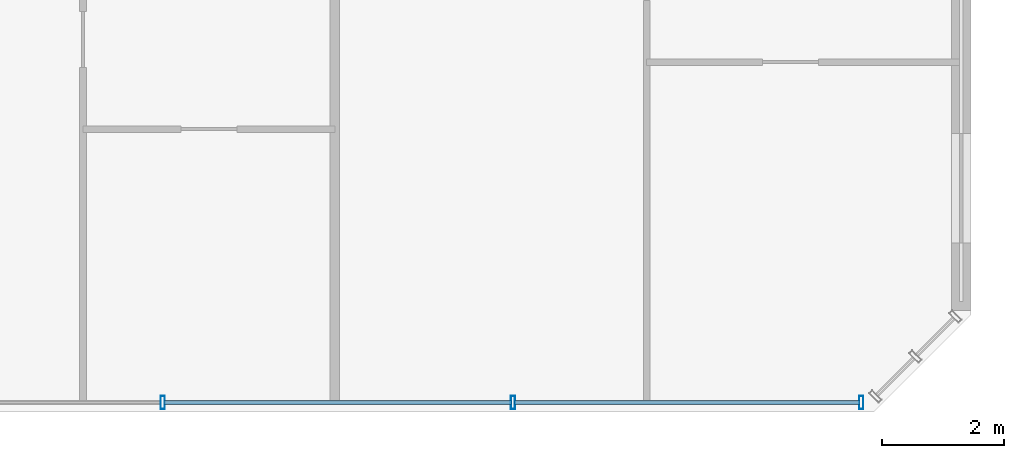
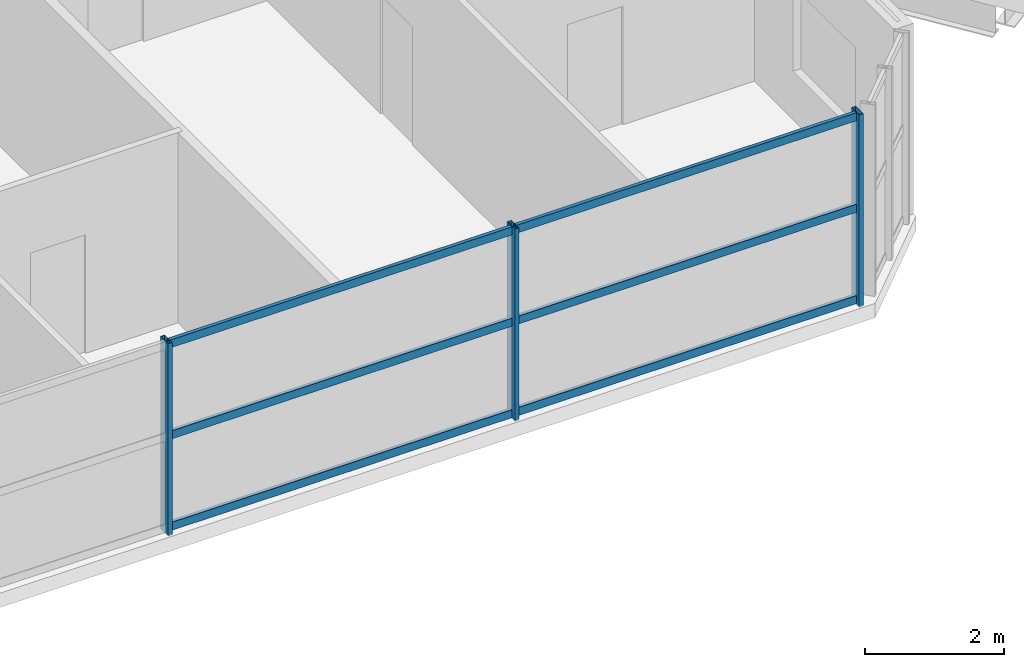
# One storey, part 7 of 28: 9 members, 1 element without a shape of its own.
"""IFC4 building model written with IfcOpenShell, lengths in metres."""

from ifc_helpers import new_model, si_unit, direction, frame, origin, origin_2d, place, context, subcontext, project, spatial, hollow_rectangle, extrude, source, transform, mapped, material, material_profile, profile_set, type_object, element, aggregate, save


model = new_model("IFC4")

# Units and contexts
model_context = context("Model", 3, precision=1e-05, world=origin(), true_north=direction((0.0, 1.0)))
body_context = subcontext(model_context, "Body", "Model", "MODEL_VIEW")
ifc_project = project(units=[si_unit("LENGTHUNIT", "METRE"), si_unit("AREAUNIT", "SQUARE_METRE"), si_unit("VOLUMEUNIT", "CUBIC_METRE"), si_unit("PLANEANGLEUNIT", "RADIAN"), si_unit("MASSUNIT", "GRAM", prefix="KILO")], contexts=[model_context])

# Site, building, storey
site_placement = place(None, origin())
site = spatial("IfcSite", under=ifc_project, at=site_placement, CompositionType="ELEMENT")
building_placement = place(site_placement, origin())
building = spatial("IfcBuilding", under=site, at=building_placement, Name="Tlacorven Tower", CompositionType="ELEMENT")
storey_placement = place(building_placement, frame((0.0, 0.0, 34.800048828125)))
storey = spatial("IfcBuildingStorey", under=building, at=storey_placement, Name="L08", CompositionType="ELEMENT", Elevation=34.800048828125)

# Curtain wall, members
ifc_material_1 = material(Name="Dark solar low-E double glazing in aluminium frame", Category="aluminium")
curtain_wall_type = type_object("IfcCurtainWallType", Name="CW-TWR-LOW", PredefinedType="USERDEFINED", material=ifc_material_1)
curtain_wall_placement = place(storey_placement, origin())
curtain_wall = element("IfcCurtainWall", 1, at=curtain_wall_placement, inside=storey, type_object=curtain_wall_type, Name="L08 CW-TWR-LOW Curtain Wall 40", ObjectType="UNITISED CURTAIN WALL", PredefinedType="USERDEFINED")
ifc_material_2 = material(Name="Aluminium 6063-T6 anodised", Category="aluminium")
ifc_material_profile_1 = material_profile(ifc_material_2, hollow_rectangle(XDim=0.06005859375, YDim=0.139892578125, WallThickness=0.00390625, at=origin_2d()), Name="ALU TRANSOM 60X140")
ifc_profile_set_1 = profile_set([ifc_material_profile_1], Name="Aluminium 6063-T6 anodised")
member_type_1 = type_object("IfcMemberType", Name="CWT-02", PredefinedType="USERDEFINED", material=ifc_profile_set_1)
shared_shape_1 = source(origin(), body_context, "Body", "SweptSolid", [
    extrude(hollow_rectangle(XDim=0.06005859375, YDim=0.139892578125, WallThickness=0.00390625, at=origin_2d()), origin(), (0.0, 0.0, 1.0), 5.6748046875),
])
member_1_placement = place(storey_placement, frame((50.57568359375, 1.9599609375, 0.070068359375), z_axis=(-1.0, 0.0, 0.0), x_axis=(0.0, -1.0, 0.0)))
member_1 = element("IfcMember", 2, at=member_1_placement, type_object=member_type_1, Name="CW-L08-040 Transom 1", ObjectType="TRANSOM", PredefinedType="USERDEFINED", context=body_context, shape_type="MappedRepresentation", body=[
    mapped(shared_shape_1, transform((0.0, 0.0, 0.0), scale=1.0)),
])
member_2_placement = place(storey_placement, frame((50.57568359375, 1.9599609375, 1.675048828125), z_axis=(-1.0, 0.0, 0.0), x_axis=(0.0, -1.0, 0.0)))
member_2 = element("IfcMember", 3, at=member_2_placement, type_object=member_type_1, Name="CW-L08-040 Transom 2", ObjectType="TRANSOM", PredefinedType="USERDEFINED", context=body_context, shape_type="MappedRepresentation", body=[
    mapped(shared_shape_1, transform((0.0, 0.0, 0.0), scale=1.0)),
])
member_3_placement = place(storey_placement, frame((50.57568359375, 1.9599609375, 3.280029296875), z_axis=(-1.0, 0.0, 0.0), x_axis=(0.0, -1.0, 0.0)))
member_3 = element("IfcMember", 4, at=member_3_placement, type_object=member_type_1, Name="CW-L08-040 Transom 3", ObjectType="TRANSOM", PredefinedType="USERDEFINED", context=body_context, shape_type="MappedRepresentation", body=[
    mapped(shared_shape_1, transform((0.0, 0.0, 0.0), scale=1.0)),
])
shared_shape_2 = source(origin(), body_context, "Body", "SweptSolid", [
    extrude(hollow_rectangle(XDim=0.06005859375, YDim=0.139892578125, WallThickness=0.00390625, at=origin_2d()), origin(), (0.0, 0.0, 1.0), 5.7099609375),
])
member_4_placement = place(storey_placement, frame((44.85498046875, 1.9599609375, 0.070068359375), z_axis=(-1.0, 0.0, 0.0), x_axis=(0.0, -1.0, 0.0)))
member_4 = element("IfcMember", 5, at=member_4_placement, type_object=member_type_1, Name="CW-L08-040 Transom 4", ObjectType="TRANSOM", PredefinedType="USERDEFINED", context=body_context, shape_type="MappedRepresentation", body=[
    mapped(shared_shape_2, transform((0.0, 0.0, 0.0), scale=1.0)),
])
member_5_placement = place(storey_placement, frame((44.85498046875, 1.9599609375, 1.675048828125), z_axis=(-1.0, 0.0, 0.0), x_axis=(0.0, -1.0, 0.0)))
member_5 = element("IfcMember", 6, at=member_5_placement, type_object=member_type_1, Name="CW-L08-040 Transom 5", ObjectType="TRANSOM", PredefinedType="USERDEFINED", context=body_context, shape_type="MappedRepresentation", body=[
    mapped(shared_shape_2, transform((0.0, 0.0, 0.0), scale=1.0)),
])
member_6_placement = place(storey_placement, frame((44.85498046875, 1.9599609375, 3.280029296875), z_axis=(-1.0, 0.0, 0.0), x_axis=(0.0, -1.0, 0.0)))
member_6 = element("IfcMember", 7, at=member_6_placement, type_object=member_type_1, Name="CW-L08-040 Transom 6", ObjectType="TRANSOM", PredefinedType="USERDEFINED", context=body_context, shape_type="MappedRepresentation", body=[
    mapped(shared_shape_2, transform((0.0, 0.0, 0.0), scale=1.0)),
])
ifc_material_profile_2 = material_profile(ifc_material_2, hollow_rectangle(XDim=0.070068359375, YDim=0.219970703125, WallThickness=0.0048828125, at=origin_2d()), Name="ALU MULLION 70X220")
ifc_profile_set_2 = profile_set([ifc_material_profile_2], Name="Aluminium 6063-T6 anodised")
member_type_2 = type_object("IfcMemberType", Name="CWM-01", PredefinedType="MULLION", material=ifc_profile_set_2)
shared_shape_3 = source(origin(), body_context, "Body", "SweptSolid", [
    extrude(hollow_rectangle(XDim=0.070068359375, YDim=0.219970703125, WallThickness=0.0048828125, at=origin_2d()), origin(), (0.0, 0.0, 1.0), 3.3798828125),
])
member_7_placement = place(storey_placement, frame((50.5986328125, 1.9599609375, -0.02001953125), z_axis=(0.0, 0.0, 1.0), x_axis=(-1.0, 0.0, 0.0)))
member_7 = element("IfcMember", 8, at=member_7_placement, type_object=member_type_2, Name="CW-L08-040 Mullion 1", PredefinedType="MULLION", context=body_context, shape_type="MappedRepresentation", body=[
    mapped(shared_shape_3, transform((0.0, 0.0, 0.0), scale=1.0)),
])
member_8_placement = place(storey_placement, frame((44.8779296875, 1.9599609375, -0.02001953125), z_axis=(0.0, 0.0, 1.0), x_axis=(-1.0, 0.0, 0.0)))
member_8 = element("IfcMember", 9, at=member_8_placement, type_object=member_type_2, Name="CW-L08-040 Mullion 2", PredefinedType="MULLION", context=body_context, shape_type="MappedRepresentation", body=[
    mapped(shared_shape_3, transform((0.0, 0.0, 0.0), scale=1.0)),
])
member_9_placement = place(storey_placement, frame((39.1220703125, 1.9599609375, -0.02001953125), z_axis=(0.0, 0.0, 1.0), x_axis=(-1.0, 0.0, 0.0)))
member_9 = element("IfcMember", 10, at=member_9_placement, type_object=member_type_2, Name="CW-L08-040 Mullion 3", PredefinedType="MULLION", context=body_context, shape_type="MappedRepresentation", body=[
    mapped(shared_shape_3, transform((0.0, 0.0, 0.0), scale=1.0)),
])
aggregate(curtain_wall, [member_7, member_8, member_9, member_1, member_2, member_3, member_4, member_5, member_6])

save(model, "model.ifc")
